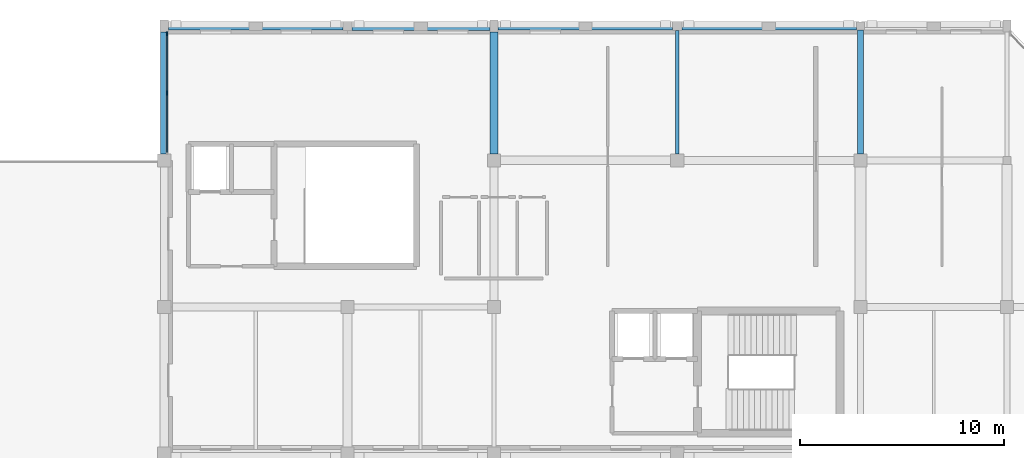
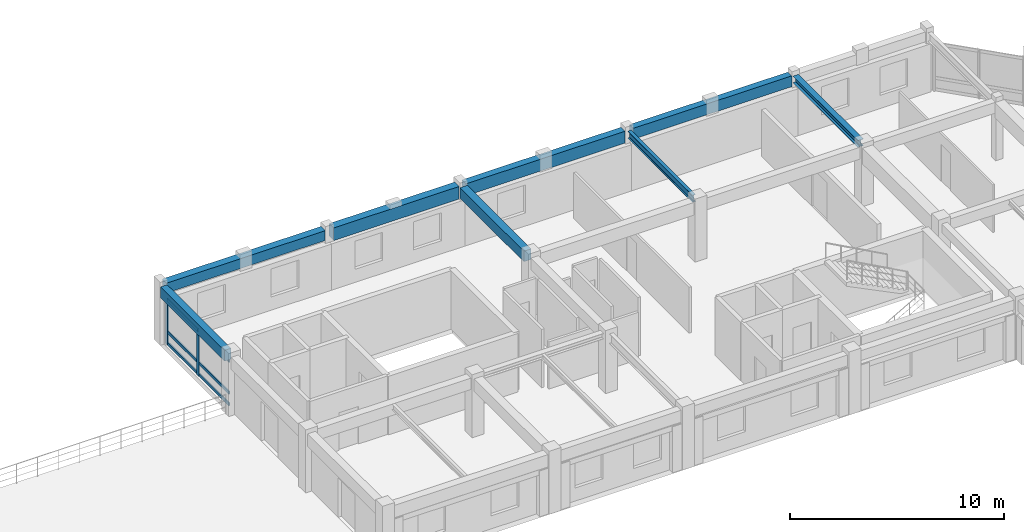
# One storey, part 8 of 18: 8 beams, 8 members, 1 element without a shape of its own.
"""IFC4 building model written with IfcOpenShell, lengths in metres."""

from ifc_helpers import new_model, si_unit, direction, frame, origin, origin_2d, place, context, subcontext, project, spatial, rectangle, i_section, extrude, material, material_profile, profile_set, type_object, element, aggregate, save


model = new_model("IFC4")

# Units and contexts
model_context = context("Model", 3, precision=1e-05, world=origin(), true_north=direction((0.0, 1.0)))
body_context = subcontext(model_context, "Body", "Model", "MODEL_VIEW")
ifc_project = project(units=[si_unit("LENGTHUNIT", "METRE"), si_unit("AREAUNIT", "SQUARE_METRE"), si_unit("VOLUMEUNIT", "CUBIC_METRE"), si_unit("PLANEANGLEUNIT", "RADIAN"), si_unit("MASSUNIT", "GRAM", prefix="KILO")], contexts=[model_context])

# Site, building, storey
site_placement = place(None, origin())
site = spatial("IfcSite", under=ifc_project, at=site_placement, CompositionType="ELEMENT")
building_placement = place(site_placement, origin())
building = spatial("IfcBuilding", under=site, at=building_placement, Name="Clarverna Civic Hall", CompositionType="ELEMENT")
storey_placement = place(building_placement, frame((0.0, 0.0, 20.39990234375)))
storey = spatial("IfcBuildingStorey", under=building, at=storey_placement, Name="L05", CompositionType="ELEMENT", Elevation=20.39990234375)

# Beams
ifc_material_1 = material(Name="Concrete C35/45", Category="concrete")
ifc_material_profile_1 = material_profile(ifc_material_1, rectangle(XDim=0.39990234375, YDim=0.60009765625, at=origin_2d()), Name="RC 400x600")
ifc_profile_set_1 = profile_set([ifc_material_profile_1], Name="Concrete C35/45")
beam_type_1 = type_object("IfcBeamType", Name="B-RC7", PredefinedType="BEAM", material=ifc_profile_set_1)
beam_1_placement = place(storey_placement, frame((129.60009765625, 109.72509765625, 3.0400390625), z_axis=(0.0, 1.0, 0.0), x_axis=(-1.0, 0.0, 0.0)))
element("IfcBeam", 1, at=beam_1_placement, inside=storey, type_object=beam_type_1, Name="B-RC7-032", PredefinedType="BEAM", context=body_context, shape_type="SweptSolid", body=[
    extrude(rectangle(XDim=0.39990234375, YDim=0.60009765625, at=origin_2d()), origin(), (0.0, 0.0, 1.0), 5.974853515625),
])
ifc_material_profile_2 = material_profile(ifc_material_1, rectangle(XDim=0.419921875, YDim=0.719970703125, at=origin_2d()), Name="RC 420x720")
ifc_profile_set_2 = profile_set([ifc_material_profile_2], Name="Concrete C35/45")
beam_type_2 = type_object("IfcBeamType", Name="B-SP1", PredefinedType="SPANDREL", material=ifc_profile_set_2)
beam_2_placement = place(storey_placement, frame((122.625, 116.0, 3.0), z_axis=(1.0, 0.0, 0.0), x_axis=(0.0, 1.0, 0.0)))
element("IfcBeam", 2, at=beam_2_placement, inside=storey, type_object=beam_type_2, Name="B-SP1-146", PredefinedType="SPANDREL", context=body_context, shape_type="SweptSolid", body=[
    extrude(rectangle(XDim=0.419921875, YDim=0.719970703125, at=origin_2d()), origin(), (0.0, 0.0, 1.0), 6.77490234375),
])
ifc_material_profile_3 = material_profile(ifc_material_1, rectangle(XDim=0.3798828125, YDim=0.679931640625, at=origin_2d()), Name="RC 380x680")
ifc_profile_set_3 = profile_set([ifc_material_profile_3], Name="Concrete C35/45")
beam_type_3 = type_object("IfcBeamType", Name="B-SP2", PredefinedType="SPANDREL", material=ifc_profile_set_3)
beam_3_placement = place(storey_placement, frame((129.800048828125, 116.0, 3.02001953125), z_axis=(1.0, 0.0, 0.0), x_axis=(0.0, 1.0, 0.0)))
element("IfcBeam", 3, at=beam_3_placement, inside=storey, type_object=beam_type_3, Name="B-SP2-153", PredefinedType="SPANDREL", context=body_context, shape_type="SweptSolid", body=[
    extrude(rectangle(XDim=0.3798828125, YDim=0.679931640625, at=origin_2d()), origin(), (0.0, 0.0, 1.0), 8.574951171875),
])
ifc_material_profile_4 = material_profile(ifc_material_1, rectangle(XDim=0.360107421875, YDim=0.6201171875, at=origin_2d()), Name="RC 360x620")
ifc_profile_set_4 = profile_set([ifc_material_profile_4], Name="Concrete C35/45")
beam_type_4 = type_object("IfcBeamType", Name="B-SP3", PredefinedType="SPANDREL", material=ifc_profile_set_4)
beam_4_placement = place(storey_placement, frame((138.824951171875, 116.0, 3.050048828125), z_axis=(1.0, 0.0, 0.0), x_axis=(0.0, 1.0, 0.0)))
element("IfcBeam", 4, at=beam_4_placement, inside=storey, type_object=beam_type_4, Name="B-SP3-151", PredefinedType="SPANDREL", context=body_context, shape_type="SweptSolid", body=[
    extrude(rectangle(XDim=0.360107421875, YDim=0.6201171875, at=origin_2d()), origin(), (0.0, 0.0, 1.0), 8.574951171875),
])
beam_5_placement = place(storey_placement, frame((113.39990234375, 109.72509765625, 3.030029296875), z_axis=(0.0, 1.0, 0.0), x_axis=(-1.0, 0.0, 0.0)))
element("IfcBeam", 5, at=beam_5_placement, inside=storey, type_object=beam_type_4, Name="B-SP3-152", PredefinedType="SPANDREL", context=body_context, shape_type="SweptSolid", body=[
    extrude(rectangle(XDim=0.360107421875, YDim=0.6201171875, at=origin_2d()), origin(), (0.0, 0.0, 1.0), 5.974853515625),
])
ifc_material_profile_5 = material_profile(ifc_material_1, rectangle(XDim=0.39990234375, YDim=0.56005859375, at=origin_2d()), Name="RC 400x560")
ifc_profile_set_5 = profile_set([ifc_material_profile_5], Name="Concrete C35/45")
beam_type_5 = type_object("IfcBeamType", Name="B-SP4", PredefinedType="SPANDREL", material=ifc_profile_set_5)
beam_6_placement = place(storey_placement, frame((113.60009765625, 116.0, 3.080078125), z_axis=(1.0, 0.0, 0.0), x_axis=(0.0, 1.0, 0.0)))
element("IfcBeam", 6, at=beam_6_placement, inside=storey, type_object=beam_type_5, Name="B-SP4-151", PredefinedType="SPANDREL", context=body_context, shape_type="SweptSolid", body=[
    extrude(rectangle(XDim=0.39990234375, YDim=0.56005859375, at=origin_2d()), origin(), (0.0, 0.0, 1.0), 8.574951171875),
])
ifc_material_2 = material(Name="Steel S355", Category="steel")
ifc_material_profile_6 = material_profile(ifc_material_2, i_section(OverallWidth=0.179931640625, OverallDepth=0.39990234375, WebThickness=0.008544921875, FlangeThickness=0.013427734375, FilletRadius=0.02099609375, at=origin_2d()), Name="IPE 400")
ifc_profile_set_6 = profile_set([ifc_material_profile_6], Name="Steel S355")
beam_type_6 = type_object("IfcBeamType", Name="B-ST14", PredefinedType="BEAM", material=ifc_profile_set_6)
beam_7_placement = place(storey_placement, frame((138.60009765625, 109.72509765625, 3.14013671875), z_axis=(0.0, 1.0, 0.0), x_axis=(-1.0, 0.0, 0.0)))
element("IfcBeam", 7, at=beam_7_placement, inside=storey, type_object=beam_type_6, Name="B-ST14-027", PredefinedType="BEAM", context=body_context, shape_type="SweptSolid", body=[
    extrude(i_section(OverallWidth=0.179931640625, OverallDepth=0.39990234375, WebThickness=0.008544921875, FlangeThickness=0.013427734375, FilletRadius=0.02099609375, at=origin_2d()), origin(), (0.0, 0.0, 1.0), 6.0498046875),
])
ifc_material_profile_7 = material_profile(ifc_material_2, i_section(OverallWidth=0.300048828125, OverallDepth=0.389892578125, WebThickness=0.010986328125, FlangeThickness=0.01904296875, FilletRadius=0.027099609375, at=origin_2d()), Name="HEA 400")
ifc_profile_set_7 = profile_set([ifc_material_profile_7], Name="Steel S355")
beam_type_7 = type_object("IfcBeamType", Name="B-ST6", PredefinedType="BEAM", material=ifc_profile_set_7)
beam_8_placement = place(storey_placement, frame((147.60009765625, 109.72509765625, 3.14501953125), z_axis=(0.0, 1.0, 0.0), x_axis=(-1.0, 0.0, 0.0)))
element("IfcBeam", 8, at=beam_8_placement, inside=storey, type_object=beam_type_7, Name="B-ST6-021", PredefinedType="BEAM", context=body_context, shape_type="SweptSolid", body=[
    extrude(i_section(OverallWidth=0.300048828125, OverallDepth=0.389892578125, WebThickness=0.010986328125, FlangeThickness=0.01904296875, FilletRadius=0.027099609375, at=origin_2d()), origin(), (0.0, 0.0, 1.0), 6.074951171875),
])

# Curtain wall, members
ifc_material_3 = material(Name="Anodised Bronze Architectural Aluminium", Category="aluminium")
curtain_wall_type = type_object("IfcCurtainWallType", Name="CW-01", PredefinedType="USERDEFINED", material=ifc_material_3)
curtain_wall_placement = place(storey_placement, origin())
curtain_wall = element("IfcCurtainWall", 9, at=curtain_wall_placement, inside=storey, type_object=curtain_wall_type, Name="CW-01-113", ObjectType="UNITISED CURTAIN WALL", PredefinedType="USERDEFINED")
ifc_material_profile_8 = material_profile(ifc_material_3, rectangle(XDim=0.06494140625, YDim=0.199951171875, at=origin_2d()), Name="BRONZE 65x200")
ifc_profile_set_8 = profile_set([ifc_material_profile_8], Name="Anodised Bronze Architectural Aluminium")
member_type_1 = type_object("IfcMemberType", Name="CWM-03", PredefinedType="MULLION", material=ifc_profile_set_8)
member_1_placement = place(storey_placement, frame((113.5400390625, 112.71240234375, 0.0), z_axis=(0.0, 0.0, 1.0), x_axis=(1.0, 0.0, 0.0)))
member_1 = element("IfcMember", 10, at=member_1_placement, type_object=member_type_1, Name="CWM-03-215", PredefinedType="MULLION", context=body_context, shape_type="SweptSolid", body=[
    extrude(rectangle(XDim=0.06494140625, YDim=0.199951171875, at=origin_2d()), origin(), (0.0, 0.0, 1.0), 2.66015625),
])
member_2_placement = place(storey_placement, frame((113.5400390625, 115.626953125, 0.0), z_axis=(0.0, 0.0, 1.0), x_axis=(1.0, 0.0, 0.0)))
member_2 = element("IfcMember", 11, at=member_2_placement, type_object=member_type_1, Name="CWM-03-216", PredefinedType="MULLION", context=body_context, shape_type="SweptSolid", body=[
    extrude(rectangle(XDim=0.06494140625, YDim=0.199951171875, at=origin_2d()), origin(), (0.0, 0.0, 1.0), 2.66015625),
])
ifc_material_profile_9 = material_profile(ifc_material_3, rectangle(XDim=0.06494140625, YDim=0.169921875, at=origin_2d()), Name="BRONZE 65x170")
ifc_profile_set_9 = profile_set([ifc_material_profile_9], Name="Anodised Bronze Architectural Aluminium")
member_type_2 = type_object("IfcMemberType", Name="CWT-03", PredefinedType="USERDEFINED", material=ifc_profile_set_9)
member_3_placement = place(storey_placement, frame((113.5400390625, 109.81298828125, 0.09521484375), z_axis=(0.0, 1.0, 0.0), x_axis=(-1.0, 0.0, 0.0)))
member_3 = element("IfcMember", 12, at=member_3_placement, type_object=member_type_2, Name="CWT-03-454", ObjectType="TRANSOM", PredefinedType="USERDEFINED", context=body_context, shape_type="SweptSolid", body=[
    extrude(rectangle(XDim=0.06494140625, YDim=0.169921875, at=origin_2d()), origin(), (0.0, 0.0, 1.0), 2.884521484375),
])
member_4_placement = place(storey_placement, frame((113.5400390625, 109.81298828125, 0.75), z_axis=(0.0, 1.0, 0.0), x_axis=(-1.0, 0.0, 0.0)))
member_4 = element("IfcMember", 13, at=member_4_placement, type_object=member_type_2, Name="CWT-03-455", ObjectType="TRANSOM", PredefinedType="USERDEFINED", context=body_context, shape_type="SweptSolid", body=[
    extrude(rectangle(XDim=0.06494140625, YDim=0.169921875, at=origin_2d()), origin(), (0.0, 0.0, 1.0), 2.884521484375),
])
member_5_placement = place(storey_placement, frame((113.5400390625, 109.81298828125, 2.565185546875), z_axis=(0.0, 1.0, 0.0), x_axis=(-1.0, 0.0, 0.0)))
member_5 = element("IfcMember", 14, at=member_5_placement, type_object=member_type_2, Name="CWT-03-456", ObjectType="TRANSOM", PredefinedType="USERDEFINED", context=body_context, shape_type="SweptSolid", body=[
    extrude(rectangle(XDim=0.06494140625, YDim=0.169921875, at=origin_2d()), origin(), (0.0, 0.0, 1.0), 2.884521484375),
])
member_6_placement = place(storey_placement, frame((113.5400390625, 112.7275390625, 0.09521484375), z_axis=(0.0, 1.0, 0.0), x_axis=(-1.0, 0.0, 0.0)))
member_6 = element("IfcMember", 15, at=member_6_placement, type_object=member_type_2, Name="CWT-03-457", ObjectType="TRANSOM", PredefinedType="USERDEFINED", context=body_context, shape_type="SweptSolid", body=[
    extrude(rectangle(XDim=0.06494140625, YDim=0.169921875, at=origin_2d()), origin(), (0.0, 0.0, 1.0), 2.884521484375),
])
member_7_placement = place(storey_placement, frame((113.5400390625, 112.7275390625, 0.75), z_axis=(0.0, 1.0, 0.0), x_axis=(-1.0, 0.0, 0.0)))
member_7 = element("IfcMember", 16, at=member_7_placement, type_object=member_type_2, Name="CWT-03-458", ObjectType="TRANSOM", PredefinedType="USERDEFINED", context=body_context, shape_type="SweptSolid", body=[
    extrude(rectangle(XDim=0.06494140625, YDim=0.169921875, at=origin_2d()), origin(), (0.0, 0.0, 1.0), 2.884521484375),
])
member_8_placement = place(storey_placement, frame((113.5400390625, 112.7275390625, 2.565185546875), z_axis=(0.0, 1.0, 0.0), x_axis=(-1.0, 0.0, 0.0)))
member_8 = element("IfcMember", 17, at=member_8_placement, type_object=member_type_2, Name="CWT-03-459", ObjectType="TRANSOM", PredefinedType="USERDEFINED", context=body_context, shape_type="SweptSolid", body=[
    extrude(rectangle(XDim=0.06494140625, YDim=0.169921875, at=origin_2d()), origin(), (0.0, 0.0, 1.0), 2.884521484375),
])
aggregate(curtain_wall, [member_1, member_2, member_3, member_4, member_5, member_6, member_7, member_8])

save(model, "model.ifc")
